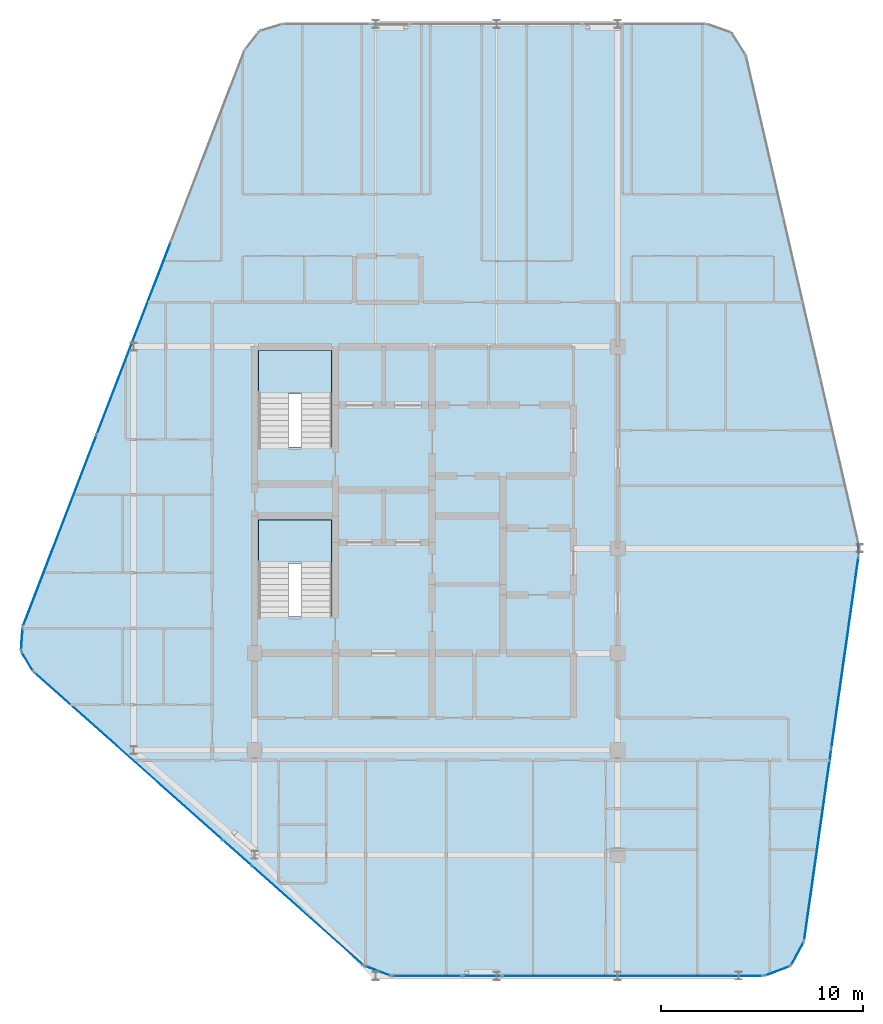
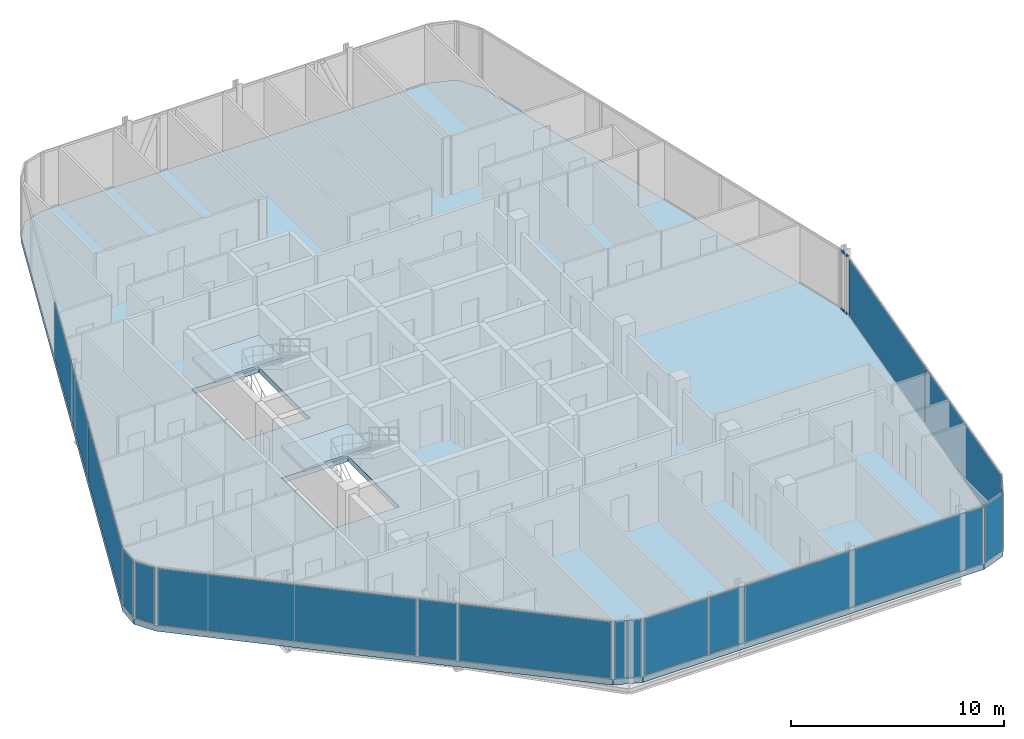
# One storey, part 20 of 27: 15 plates, 3 slabs, 2 members, 16 elements without a shape of their own.
"""IFC4 building model written with IfcOpenShell, lengths in metres."""

from ifc_helpers import new_model, si_unit, direction, frame, origin, origin_2d, place, context, subcontext, project, spatial, polyline, rectangle, hollow_rectangle, outline, extrude, material, layer, layer_set, material_profile, profile_set, type_object, element, aggregate, save


model = new_model("IFC4")

# Units and contexts
model_context = context("Model", 3, precision=1e-05, world=origin(), true_north=direction((0.0, 1.0)))
body_context = subcontext(model_context, "Body", "Model", "MODEL_VIEW")
ifc_project = project(units=[si_unit("LENGTHUNIT", "METRE"), si_unit("AREAUNIT", "SQUARE_METRE"), si_unit("VOLUMEUNIT", "CUBIC_METRE"), si_unit("PLANEANGLEUNIT", "RADIAN"), si_unit("MASSUNIT", "GRAM", prefix="KILO")], contexts=[model_context])

# Site, building, storey
site_placement = place(None, origin())
site = spatial("IfcSite", under=ifc_project, at=site_placement, CompositionType="ELEMENT")
building_placement = place(site_placement, origin())
building = spatial("IfcBuilding", under=site, at=building_placement, Name="Keshet Zoharim Tower", CompositionType="ELEMENT")
storey_placement = place(building_placement, frame((0.0, 0.0, 269.5)))
storey = spatial("IfcBuildingStorey", under=building, at=storey_placement, Name="L67", CompositionType="ELEMENT", Elevation=269.5)

# Curtain wall, members
ifc_material_1 = material(Name="Aluminium 6063-T6", Category="aluminium")
ifc_layer_1 = layer(ifc_material_1, 0.260009765625)
ifc_layer_set_1 = layer_set([ifc_layer_1], Name="Aluminium 6063-T6")
curtain_wall_type = type_object("IfcCurtainWallType", Name="CW-SYS-06", PredefinedType="NOTDEFINED", material=ifc_layer_set_1)
curtain_wall_1_placement = place(storey_placement, origin())
curtain_wall_1 = element("IfcCurtainWall", 1, at=curtain_wall_1_placement, inside=storey, type_object=curtain_wall_type, Name="L67 Unitised Curtain Wall 10", PredefinedType="NOTDEFINED")
ifc_material_profile = material_profile(ifc_material_1, hollow_rectangle(XDim=0.074951171875, YDim=0.1201171875, WallThickness=0.00390625, at=origin_2d()), Name="TRN-75x120")
ifc_profile_set = profile_set([ifc_material_profile], Name="Aluminium 6063-T6")
member_type = type_object("IfcMemberType", Name="CWT-T12", PredefinedType="USERDEFINED", material=ifc_profile_set)
member_1_placement = place(storey_placement, frame((44.9189453125, 28.192138671875, 0.034912109375), z_axis=(0.043813905352, -0.99903970977, 0.0), x_axis=(0.99903970977, 0.043813905352, 0.0)))
member_1 = element("IfcMember", 2, at=member_1_placement, type_object=member_type, Name="CW-06 transom 1.1", ObjectType="TRANSOM", PredefinedType="USERDEFINED", context=body_context, shape_type="SweptSolid", body=[
    extrude(hollow_rectangle(XDim=0.074951171875, YDim=0.1201171875, WallThickness=0.00390625, at=origin_2d()), origin(), (0.0, 0.0, 1.0), 0.590576171875),
])
member_2_placement = place(storey_placement, frame((44.9189453125, 28.192138671875, 3.35498046875), z_axis=(0.043813905352, -0.99903970977, 0.0), x_axis=(0.99903970977, 0.043813905352, 0.0)))
member_2 = element("IfcMember", 3, at=member_2_placement, type_object=member_type, Name="CW-06 transom 1.2", ObjectType="TRANSOM", PredefinedType="USERDEFINED", context=body_context, shape_type="SweptSolid", body=[
    extrude(hollow_rectangle(XDim=0.074951171875, YDim=0.1201171875, WallThickness=0.00390625, at=origin_2d()), origin(), (0.0, 0.0, 1.0), 0.590576171875),
])
aggregate(curtain_wall_1, [member_1, member_2])

# Curtain wall, plate
curtain_wall_2_placement = place(storey_placement, origin())
curtain_wall_2 = element("IfcCurtainWall", 4, at=curtain_wall_2_placement, inside=storey, type_object=curtain_wall_type, Name="L67 Unitised Curtain Wall 01", PredefinedType="NOTDEFINED")
ifc_material_2 = material(Name="Insulated Low-E Clear Glass", Category="glass")
ifc_layer_2 = layer(ifc_material_2, 0.028076171875)
ifc_layer_set_2 = layer_set([ifc_layer_2], Name="Insulated Low-E Clear Glass")
plate_type_1 = type_object("IfcPlateType", Name="CWP-03", PredefinedType="CURTAIN_PANEL", material=ifc_layer_set_2)
plate_1_placement = place(storey_placement, frame((3.7275390625, 22.291015625, 0.070068359375), z_axis=(0.0, 0.0, 1.0), x_axis=(-0.515604947933, 0.856826433805, 0.0)))
plate_1 = element("IfcPlate", 5, at=plate_1_placement, type_object=plate_type_1, Name="CW-06 panel 1.1", PredefinedType="CURTAIN_PANEL", context=body_context, shape_type="SweptSolid", body=[
    extrude(rectangle(XDim=1.052734375, YDim=0.028076171875, at=origin_2d()), origin(), (0.0, 0.0, 1.0), 3.25),
])
aggregate(curtain_wall_2, [plate_1])

curtain_wall_3_placement = place(storey_placement, origin())
curtain_wall_3 = element("IfcCurtainWall", 6, at=curtain_wall_3_placement, inside=storey, type_object=curtain_wall_type, Name="L67 Unitised Curtain Wall 02", PredefinedType="NOTDEFINED")
plate_2_placement = place(storey_placement, frame((3.45849609375, 23.3974609375, 0.070068359375), z_axis=(0.0, 0.0, 1.0), x_axis=(0.064516859374, 0.997916617186, 0.0)))
plate_2 = element("IfcPlate", 7, at=plate_2_placement, type_object=plate_type_1, Name="CW-06 panel 1.1", PredefinedType="CURTAIN_PANEL", context=body_context, shape_type="SweptSolid", body=[
    extrude(rectangle(XDim=1.053466796875, YDim=0.028076171875, at=origin_2d()), origin(), (0.0, 0.0, 1.0), 3.25),
])
aggregate(curtain_wall_3, [plate_2])

# Curtain wall, plates
curtain_wall_4_placement = place(storey_placement, origin())
curtain_wall_4 = element("IfcCurtainWall", 8, at=curtain_wall_4_placement, inside=storey, type_object=curtain_wall_type, Name="L67 Unitised Curtain Wall 03", PredefinedType="NOTDEFINED")
plate_3_placement = place(storey_placement, frame((5.33837890625, 28.7802734375, 0.070068359375), z_axis=(0.0, 0.0, 1.0), x_axis=(0.358990003907, 0.933341404361, 0.0)))
plate_3 = element("IfcPlate", 9, at=plate_3_placement, type_object=plate_type_1, Name="CW-06 panel 1.1", PredefinedType="CURTAIN_PANEL", context=body_context, shape_type="SweptSolid", body=[
    extrude(rectangle(XDim=10.1181640625, YDim=0.028076171875, at=origin_2d()), origin(), (0.0, 0.0, 1.0), 3.25),
])
plate_4_placement = place(storey_placement, frame((9.001953125, 38.305419921875, 0.070068359375), z_axis=(0.0, 0.0, 1.0), x_axis=(0.358990003907, 0.933341404361, 0.0)))
plate_4 = element("IfcPlate", 10, at=plate_4_placement, type_object=plate_type_1, Name="CW-06 panel 2.1", PredefinedType="CURTAIN_PANEL", context=body_context, shape_type="SweptSolid", body=[
    extrude(rectangle(XDim=10.153076171875, YDim=0.028076171875, at=origin_2d()), origin(), (0.0, 0.0, 1.0), 3.25),
])
aggregate(curtain_wall_4, [plate_3, plate_4])

curtain_wall_5_placement = place(storey_placement, origin())
curtain_wall_5 = element("IfcCurtainWall", 11, at=curtain_wall_5_placement, inside=storey, type_object=curtain_wall_type, Name="L67 Unitised Curtain Wall 11", PredefinedType="NOTDEFINED")
plate_5_placement = place(storey_placement, frame((44.269287109375, 22.736572265625, 0.070068359375), z_axis=(0.0, 0.0, 1.0), x_axis=(-0.140137464177, -0.990132057422, 0.0)))
plate_5 = element("IfcPlate", 12, at=plate_5_placement, type_object=plate_type_1, Name="CW-06 panel 1.1", PredefinedType="CURTAIN_PANEL", context=body_context, shape_type="SweptSolid", body=[
    extrude(rectangle(XDim=9.546142578125, YDim=0.028076171875, at=origin_2d()), origin(), (0.0, 0.0, 1.0), 3.25),
])
plate_6_placement = place(storey_placement, frame((42.921630859375, 13.21533203125, 0.070068359375), z_axis=(0.0, 0.0, 1.0), x_axis=(-0.140137464177, -0.990132057422, 0.0)))
plate_6 = element("IfcPlate", 13, at=plate_6_placement, type_object=plate_type_1, Name="CW-06 panel 2.1", PredefinedType="CURTAIN_PANEL", context=body_context, shape_type="SweptSolid", body=[
    extrude(rectangle(XDim=9.546142578125, YDim=0.028076171875, at=origin_2d()), origin(), (0.0, 0.0, 1.0), 3.25),
])
aggregate(curtain_wall_5, [plate_5, plate_6])

# Curtain wall, plate
curtain_wall_6_placement = place(storey_placement, origin())
curtain_wall_6 = element("IfcCurtainWall", 14, at=curtain_wall_6_placement, inside=storey, type_object=curtain_wall_type, Name="L67 Unitised Curtain Wall 12", PredefinedType="NOTDEFINED")
plate_7_placement = place(storey_placement, frame((41.908447265625, 7.804931640625, 0.070068359375), z_axis=(0.0, 0.0, 1.0), x_axis=(-0.477800955789, -0.878468125004, 0.0)))
plate_7 = element("IfcPlate", 15, at=plate_7_placement, type_object=plate_type_1, Name="CW-06 panel 1.1", PredefinedType="CURTAIN_PANEL", context=body_context, shape_type="SweptSolid", body=[
    extrude(rectangle(XDim=1.26025390625, YDim=0.028076171875, at=origin_2d()), origin(), (0.0, 0.0, 1.0), 3.25),
])
aggregate(curtain_wall_6, [plate_7])

curtain_wall_7_placement = place(storey_placement, origin())
curtain_wall_7 = element("IfcCurtainWall", 16, at=curtain_wall_7_placement, inside=storey, type_object=curtain_wall_type, Name="L67 Unitised Curtain Wall 13", PredefinedType="NOTDEFINED")
plate_8_placement = place(storey_placement, frame((40.91845703125, 6.945068359375, 0.070068359375), z_axis=(0.0, 0.0, 1.0), x_axis=(-0.936710343781, -0.350105315376, 0.0)))
plate_8 = element("IfcPlate", 17, at=plate_8_placement, type_object=plate_type_1, Name="CW-06 panel 1.1", PredefinedType="CURTAIN_PANEL", context=body_context, shape_type="SweptSolid", body=[
    extrude(rectangle(XDim=1.259521484375, YDim=0.028076171875, at=origin_2d()), origin(), (0.0, 0.0, 1.0), 3.25),
])
aggregate(curtain_wall_7, [plate_8])

curtain_wall_8_placement = place(storey_placement, origin())
curtain_wall_8 = element("IfcCurtainWall", 18, at=curtain_wall_8_placement, inside=storey, type_object=curtain_wall_type, Name="L67 Unitised Curtain Wall 14", PredefinedType="NOTDEFINED")
plate_9_placement = place(storey_placement, frame((33.743896484375, 6.699951171875, 0.070068359375), z_axis=(0.0, 0.0, 1.0), x_axis=(-1.0, 0.0, 0.0)))
plate_9 = element("IfcPlate", 19, at=plate_9_placement, type_object=plate_type_1, Name="CW-06 panel 1.1", PredefinedType="CURTAIN_PANEL", context=body_context, shape_type="SweptSolid", body=[
    extrude(rectangle(XDim=12.898193359375, YDim=0.028076171875, at=origin_2d()), origin(), (0.0, 0.0, 1.0), 3.25),
])
aggregate(curtain_wall_8, [plate_9])

curtain_wall_9_placement = place(storey_placement, origin())
curtain_wall_9 = element("IfcCurtainWall", 20, at=curtain_wall_9_placement, inside=storey, type_object=curtain_wall_type, Name="L67 Unitised Curtain Wall 14 Part 3", PredefinedType="NOTDEFINED")
plate_10_placement = place(storey_placement, frame((23.552490234375, 6.699951171875, 0.070068359375), z_axis=(0.0, 0.0, 1.0), x_axis=(-1.0, 0.0, 0.0)))
plate_10 = element("IfcPlate", 21, at=plate_10_placement, type_object=plate_type_1, Name="CW-06 panel 1.1", PredefinedType="CURTAIN_PANEL", context=body_context, shape_type="SweptSolid", body=[
    extrude(rectangle(XDim=3.4453125, YDim=0.028076171875, at=origin_2d()), origin(), (0.0, 0.0, 1.0), 3.25),
])
aggregate(curtain_wall_9, [plate_10])

curtain_wall_10_placement = place(storey_placement, origin())
curtain_wall_10 = element("IfcCurtainWall", 22, at=curtain_wall_10_placement, inside=storey, type_object=curtain_wall_type, Name="L67 Unitised Curtain Wall 15", PredefinedType="NOTDEFINED")
plate_11_placement = place(storey_placement, frame((21.095947265625, 6.952392578125, 0.070068359375), z_axis=(0.0, 0.0, 1.0), x_axis=(-0.934699418314, 0.355439161326, 0.0)))
plate_11 = element("IfcPlate", 23, at=plate_11_placement, type_object=plate_type_1, Name="CW-06 panel 1.1", PredefinedType="CURTAIN_PANEL", context=body_context, shape_type="SweptSolid", body=[
    extrude(rectangle(XDim=1.28076171875, YDim=0.028076171875, at=origin_2d()), origin(), (0.0, 0.0, 1.0), 3.25),
])
aggregate(curtain_wall_10, [plate_11])

curtain_wall_11_placement = place(storey_placement, origin())
curtain_wall_11 = element("IfcCurtainWall", 24, at=curtain_wall_11_placement, inside=storey, type_object=curtain_wall_type, Name="L67 Unitised Curtain Wall 16", PredefinedType="NOTDEFINED")
plate_12_placement = place(storey_placement, frame((17.634521484375, 9.691650390625, 0.070068359375), z_axis=(0.0, 0.0, 1.0), x_axis=(-0.747410792699, 0.664362180559, 0.0)))
plate_12 = element("IfcPlate", 25, at=plate_12_placement, type_object=plate_type_1, Name="CW-06 panel 1.1", PredefinedType="CURTAIN_PANEL", context=body_context, shape_type="SweptSolid", body=[
    extrude(rectangle(XDim=7.345947265625, YDim=0.028076171875, at=origin_2d()), origin(), (0.0, 0.0, 1.0), 3.25),
])
aggregate(curtain_wall_11, [plate_12])

curtain_wall_12_placement = place(storey_placement, origin())
curtain_wall_12 = element("IfcCurtainWall", 26, at=curtain_wall_12_placement, inside=storey, type_object=curtain_wall_type, Name="L67 Unitised Curtain Wall 16 Part 3", PredefinedType="NOTDEFINED")
plate_13_placement = place(storey_placement, frame((8.7333984375, 17.603515625, 0.070068359375), z_axis=(0.0, 0.0, 1.0), x_axis=(-0.747409318679, 0.664363838836, 0.0)))
plate_13 = element("IfcPlate", 27, at=plate_13_placement, type_object=plate_type_1, Name="CW-06 panel 1.1", PredefinedType="CURTAIN_PANEL", context=body_context, shape_type="SweptSolid", body=[
    extrude(rectangle(XDim=12.432861328125, YDim=0.028076171875, at=origin_2d()), origin(), (0.0, 0.0, 1.0), 3.25),
])
aggregate(curtain_wall_12, [plate_13])

curtain_wall_13_placement = place(storey_placement, origin())
curtain_wall_13 = element("IfcCurtainWall", 28, at=curtain_wall_13_placement, inside=storey, type_object=curtain_wall_type, Name="L67 Unitised Curtain Wall 14 Part 2", PredefinedType="NOTDEFINED")
ifc_material_3 = material(Name="Insulated Aluminium Spandrel Panel", Category="aluminium")
ifc_layer_3 = layer(ifc_material_3, 0.028076171875)
ifc_layer_set_3 = layer_set([ifc_layer_3], Name="Insulated Aluminium Spandrel Panel")
plate_type_2 = type_object("IfcPlateType", Name="CWP-06", PredefinedType="CURTAIN_PANEL", material=ifc_layer_set_3)
plate_14_placement = place(storey_placement, frame((26.284912109375, 6.699951171875, 0.070068359375), z_axis=(0.0, 0.0, 1.0), x_axis=(-1.0, 0.0, 0.0)))
plate_14 = element("IfcPlate", 29, at=plate_14_placement, type_object=plate_type_2, Name="CW-06 spandrel panel 1.1", PredefinedType="CURTAIN_PANEL", context=body_context, shape_type="SweptSolid", body=[
    extrude(rectangle(XDim=1.879638671875, YDim=0.028076171875, at=origin_2d()), origin(), (0.0, 0.0, 1.0), 3.25),
])
aggregate(curtain_wall_13, [plate_14])

curtain_wall_14_placement = place(storey_placement, origin())
curtain_wall_14 = element("IfcCurtainWall", 30, at=curtain_wall_14_placement, inside=storey, type_object=curtain_wall_type, Name="L67 Unitised Curtain Wall 16 Part 2", PredefinedType="NOTDEFINED")
plate_15_placement = place(storey_placement, frame((14.134521484375, 12.802734375, 0.070068359375), z_axis=(0.0, 0.0, 1.0), x_axis=(-0.747431957629, 0.664338369143, 0.0)))
plate_15 = element("IfcPlate", 31, at=plate_15_placement, type_object=plate_type_2, Name="CW-06 spandrel panel 1.1", PredefinedType="CURTAIN_PANEL", context=body_context, shape_type="SweptSolid", body=[
    extrude(rectangle(XDim=1.879638671875, YDim=0.028076171875, at=origin_2d()), origin(), (0.0, 0.0, 1.0), 3.25),
])
aggregate(curtain_wall_14, [plate_15])

# Stair, slab
ifc_material_4 = material(Name="Concrete C50/60", Category="concrete")
stair_type = type_object("IfcStairType", Name="STR-EXIT-135", PredefinedType="HALF_TURN_STAIR", material=ifc_material_4)
stair_1_placement = place(storey_placement, origin())
stair_1 = element("IfcStair", 32, at=stair_1_placement, inside=storey, type_object=stair_type, Name="L67 Enclosed Exit Stair ST-01", PredefinedType="HALF_TURN_STAIR")
ifc_layer_4 = layer(ifc_material_4, 0.199951171875)
ifc_layer_set_4 = layer_set([ifc_layer_4], Name="Concrete C50/60")
slab_type_1 = type_object("IfcSlabType", Name="SLB-LND-200", PredefinedType="LANDING", material=ifc_layer_set_4)
slab_1_placement = place(storey_placement, frame((0.0, 0.0, 1.64990234375)))
slab_1 = element("IfcSlab", 33, at=slab_1_placement, type_object=slab_type_1, Name="ST-01 landing 1", PredefinedType="LANDING", context=body_context, shape_type="SweptSolid", body=[
    extrude(outline(polyline([(15.179931640625, 27.159912109375), (18.820068359375, 27.159912109375), (18.820068359375, 29.320068359375), (15.179931640625, 29.320068359375), (15.179931640625, 27.159912109375)])), origin(), (0.0, 0.0, 1.0), 0.2001953125),
])
aggregate(stair_1, [slab_1])

stair_2_placement = place(storey_placement, origin())
stair_2 = element("IfcStair", 34, at=stair_2_placement, inside=storey, type_object=stair_type, Name="L67 Enclosed Exit Stair ST-02", PredefinedType="HALF_TURN_STAIR")
slab_2_placement = place(storey_placement, frame((0.0, 0.0, 1.64990234375)))
slab_2 = element("IfcSlab", 35, at=slab_2_placement, type_object=slab_type_1, Name="ST-02 landing 1", PredefinedType="LANDING", context=body_context, shape_type="SweptSolid", body=[
    extrude(outline(polyline([(15.179931640625, 35.56005859375), (18.820068359375, 35.56005859375), (18.820068359375, 37.719970703125), (15.179931640625, 37.719970703125), (15.179931640625, 35.56005859375)])), origin(), (0.0, 0.0, 1.0), 0.2001953125),
])
aggregate(stair_2, [slab_2])

# Slab
ifc_layer_5 = layer(ifc_material_4, 0.31005859375)
ifc_layer_set_5 = layer_set([ifc_layer_5], Name="Concrete C50/60")
slab_type_2 = type_object("IfcSlabType", Name="SLB-UPP-240", PredefinedType="FLOOR", material=ifc_layer_set_5)
slab_3_placement = place(storey_placement, frame((0.0, 0.0, -0.31005859375)))
element("IfcSlab", 36, at=slab_3_placement, inside=storey, type_object=slab_type_2, Name="L67 Structural Floor Slab 1", PredefinedType="FLOOR", context=body_context, shape_type="SweptSolid", body=[
    extrude(outline(polyline([(4.034912109375, 21.780029296875), (3.419921875, 22.802001953125), (3.4970703125, 23.992919921875), (14.507080078125, 52.617919921875), (15.240966796875, 53.549072265625), (16.3740234375, 53.89990234375), (37.408935546875, 53.89990234375), (38.654052734375, 53.465087890625), (39.35791015625, 52.35009765625), (44.916015625, 28.261962890625), (44.947998046875, 27.531982421875), (42.242919921875, 8.419921875), (41.573974609375, 7.18994140625), (40.262939453125, 6.699951171875), (21.760009765625, 6.699951171875), (20.431884765625, 7.205078125), (4.034912109375, 21.780029296875)]), holes=[polyline([(15.179931640625, 24.52001953125), (18.820068359375, 24.52001953125), (18.820068359375, 29.320068359375), (15.179931640625, 29.320068359375), (15.179931640625, 24.52001953125)]), polyline([(15.179931640625, 32.919921875), (18.820068359375, 32.919921875), (18.820068359375, 37.719970703125), (15.179931640625, 37.719970703125), (15.179931640625, 32.919921875)])]), origin(), (0.0, 0.0, 1.0), 0.31005859375),
])

save(model, "model.ifc")
